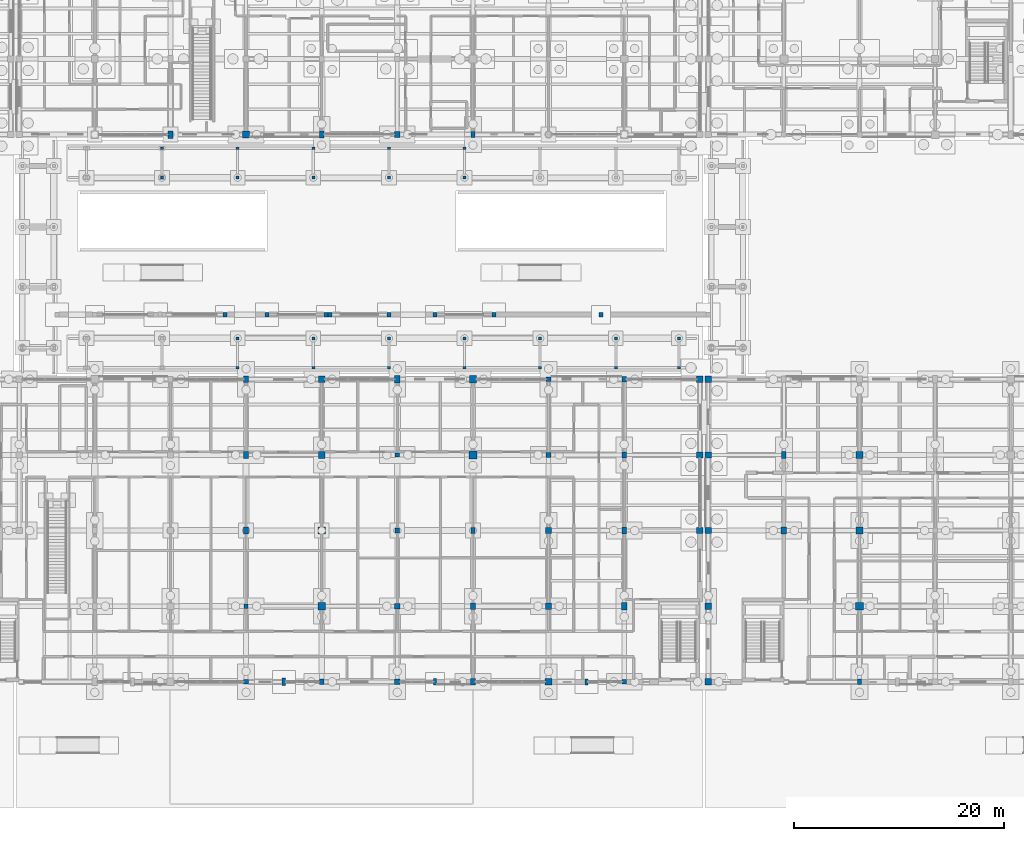
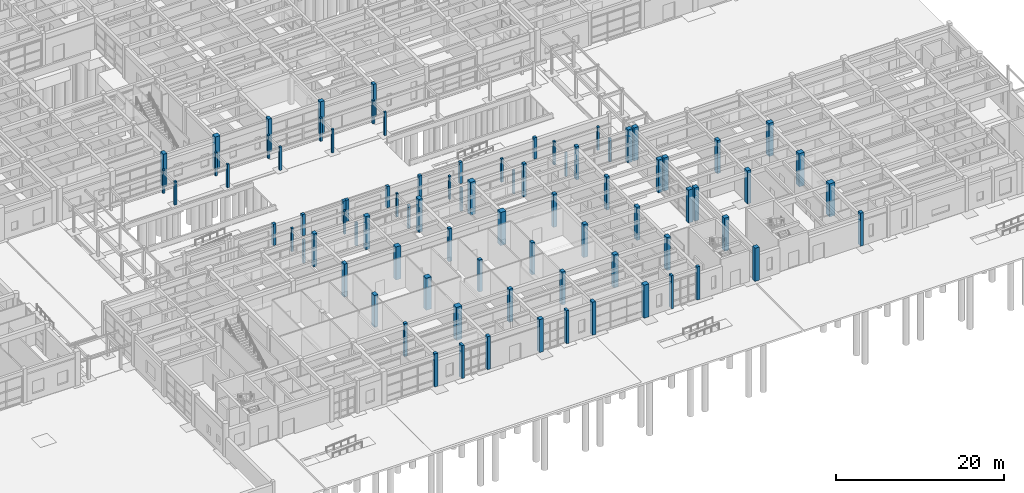
# One storey, part 19 of 143: 84 columns.
"""IFC4 building model written with IfcOpenShell, lengths in metres."""

import ifcopenshell
import ifcopenshell.guid

model = None  # the IFC model being written
_history = None  # IfcOwnerHistory: only IFC2X3 demands one
_inside = {}  # id of a spatial element -> (the spatial element, [elements in it])
_under = {}  # id of a project, library or spatial element -> (it, [spatial elements below it])
_declared = {}  # id of a project -> (the project, [libraries it declares])
_typed = {}  # id of a type object -> (the type object, [elements of that type])
_made_of = {}  # id of a material, layer set ... -> (it, [elements and type objects made of it])


def new_model(schema):
    """Start an empty IFC model of exactly this schema.

    Asked for "IFC4X3", IfcOpenShell would pick the latest addendum, in which some entities
    have other attributes; the version numbers below select the first issue.
    IFC2X3 requires an IfcOwnerHistory on every rooted entity: one is made here for all.
    """
    global model, _history
    if schema == "IFC4X3":
        model = ifcopenshell.file(schema_version=(4, 3, 0, 0))
    else:
        model = ifcopenshell.file(schema=schema)
    _inside.clear()
    _under.clear()
    _declared.clear()
    _typed.clear()
    _made_of.clear()
    _history = None
    if model.schema == "IFC2X3":
        org = make("IfcOrganization", Name="unknown")
        user = make(
            "IfcPersonAndOrganization",
            ThePerson=make("IfcPerson", FamilyName="unknown"),
            TheOrganization=org,
        )
        app = make(
            "IfcApplication",
            ApplicationDeveloper=org,
            Version="unknown",
            ApplicationFullName="unknown",
            ApplicationIdentifier="unknown",
        )
        _history = make(
            "IfcOwnerHistory",
            OwningUser=user,
            OwningApplication=app,
            ChangeAction="ADDED",
            CreationDate=0,
        )
    return model


def make(cls, **values):
    """One entity of the class cls with the attributes given. An attribute that is None is left unset."""
    return model.create_entity(
        cls, **{name: value for name, value in values.items() if value is not None}
    )


def rooted(cls, **values):
    """An entity with a GlobalId (a new one), such as an element, a storey or a relation."""
    return make(cls, GlobalId=ifcopenshell.guid.new(), OwnerHistory=_history, **values)


def si_unit(unit_type, name, prefix=None):
    """IfcSIUnit, for example si_unit("LENGTHUNIT", "METRE", prefix="MILLI")."""
    return make("IfcSIUnit", UnitType=unit_type, Prefix=prefix, Name=name)


def assignment(units):
    """IfcUnitAssignment: the units of a project."""
    return None if units is None else make("IfcUnitAssignment", Units=units)


def point(xyz):
    """IfcCartesianPoint."""
    return None if xyz is None else make("IfcCartesianPoint", Coordinates=xyz)


def direction(xyz):
    """IfcDirection."""
    return None if xyz is None else make("IfcDirection", DirectionRatios=xyz)


def frame(location, z_axis=None, x_axis=None):
    """IfcAxis2Placement3D, a coordinate frame: its origin and axes. An axis left out is left unset."""
    return make(
        "IfcAxis2Placement3D",
        Location=point(location),
        Axis=direction(z_axis),
        RefDirection=direction(x_axis),
    )


def frame_2d(location, x_axis=None):
    """IfcAxis2Placement2D, a coordinate frame in the plane: its origin and x axis."""
    return make(
        "IfcAxis2Placement2D", Location=point(location), RefDirection=direction(x_axis)
    )


def origin():
    """The frame at (0, 0, 0) with its axes left unset."""
    return frame((0.0, 0.0, 0.0))


def origin_2d():
    """The frame at (0, 0) in the plane with its x axis left unset."""
    return frame_2d((0.0, 0.0))


def place(relative_to, where):
    """IfcLocalPlacement: puts the frame where relative to a parent placement (None: the world)."""
    return make(
        "IfcLocalPlacement", PlacementRelTo=relative_to, RelativePlacement=where
    )


def context(
    kind, dimensions, precision=None, world=None, true_north=None, identifier=None
):
    """IfcGeometricRepresentationContext, for example the 3D "Model" context."""
    return make(
        "IfcGeometricRepresentationContext",
        ContextIdentifier=identifier,
        ContextType=kind,
        CoordinateSpaceDimension=dimensions,
        Precision=precision,
        WorldCoordinateSystem=world,
        TrueNorth=true_north,
    )


def subcontext(parent, identifier, kind, view, scale=None):
    """IfcGeometricRepresentationSubContext, for example "Body" below "Model"."""
    return make(
        "IfcGeometricRepresentationSubContext",
        ContextIdentifier=identifier,
        ContextType=kind,
        ParentContext=parent,
        TargetScale=scale,
        TargetView=view,
    )


def project(units=None, contexts=None):
    """IfcProject with its units and contexts."""
    return rooted(
        "IfcProject",
        Name="project",
        RepresentationContexts=contexts,
        UnitsInContext=assignment(units),
    )


def spatial(cls, under=None, at=None, **own):
    """A site, building, storey or space (cls), placed at a placement, below another one or the project."""
    s = rooted(cls, ObjectPlacement=at, **own)
    if under is not None:
        _under.setdefault(under.id(), (under, []))[1].append(s)
    return s


def profile(cls, at=None, kind="AREA", **sizes):
    """A parametric profile (cls). Its sizes go by their IFC names, for example OverallWidth=200.0."""
    return make(cls, ProfileType=kind, Position=at, **sizes)


def rectangle(**sizes):
    """IfcRectangleProfileDef."""
    return profile("IfcRectangleProfileDef", **sizes)


def extrude(swept, where, along, depth):
    """IfcExtrudedAreaSolid: the profile swept, set in the frame where, extruded along a direction by depth."""
    return make(
        "IfcExtrudedAreaSolid",
        SweptArea=swept,
        Position=where,
        ExtrudedDirection=direction(along),
        Depth=depth,
    )


def shape(context_of_items, identifier, shape_type, items):
    """IfcShapeRepresentation: the items that make up one representation, for example the "Body"."""
    return make(
        "IfcShapeRepresentation",
        ContextOfItems=context_of_items,
        RepresentationIdentifier=identifier,
        RepresentationType=shape_type,
        Items=items,
    )


def material(Name=None, Category=None):
    """IfcMaterial."""
    return make("IfcMaterial", Name=Name, Category=Category)


def material_profile(
    of_material, cross_section, Name=None, Category=None, Priority=None
):
    """IfcMaterialProfile: a cross section and its material."""
    return make(
        "IfcMaterialProfile",
        Name=Name,
        Material=of_material,
        Profile=cross_section,
        Priority=Priority,
        Category=Category,
    )


def profile_set(profiles, Name=None, composite=None):
    """IfcMaterialProfileSet."""
    return make(
        "IfcMaterialProfileSet",
        Name=Name,
        MaterialProfiles=profiles,
        CompositeProfile=composite,
    )


def made_of(thing, what):
    """Note that an element or type object is made of a material, layer set ...; save() writes the relation."""
    if what is not None:
        _made_of.setdefault(what.id(), (what, []))[1].append(thing)
    return thing


def type_object(cls, material=None, **own):
    """A type object (cls), such as IfcWallType, which elements share."""
    return made_of(rooted(cls, **own), material)


def element(
    cls,
    number,
    at=None,
    inside=None,
    cuts=None,
    type_object=None,
    material=None,
    context=None,
    identifier="Body",
    shape_type=None,
    held_by="IfcProductDefinitionShape",
    body=None,
    shapes=None,
    **own,
):
    """One element of the class cls, such as IfcWall. Its Tag is "e" and its number.

    at: its placement. inside: the storey or other place that contains it. cuts: it is an
    opening in that element (IfcRelVoidsElement). A single representation is given by context,
    identifier, shape_type and body (its items); several are given by shapes. held_by: the class
    of the entity that holds the representations. save() writes the other relations.
    """
    e = rooted(cls, Tag="e%d" % number, ObjectPlacement=at, **own)
    if body is not None:
        shapes = [shape(context, identifier, shape_type, body)]
    if shapes is not None:
        e.Representation = make(held_by, Representations=shapes)
    if inside is not None:
        _inside.setdefault(inside.id(), (inside, []))[1].append(e)
    if cuts is not None:
        rooted(
            "IfcRelVoidsElement", RelatingBuildingElement=cuts, RelatedOpeningElement=e
        )
    if type_object is not None:
        _typed.setdefault(type_object.id(), (type_object, []))[1].append(e)
    return made_of(e, material)


def aggregate(whole, parts):
    """IfcRelAggregates: a whole, such as a stair, and the parts it consists of."""
    return rooted("IfcRelAggregates", RelatingObject=whole, RelatedObjects=parts)


def save(model, path):
    """Write the relations noted so far, then the file.

    IfcRelAggregates (storeys below a building ...), IfcRelContainedInSpatialStructure (elements
    in a storey), IfcRelDefinesByType, IfcRelAssociatesMaterial and IfcRelDeclares: one each for
    every whole, place, type object, material and project.
    """
    for whole, parts in _under.values():
        aggregate(whole, parts)
    for where, things in _inside.values():
        rooted(
            "IfcRelContainedInSpatialStructure",
            RelatedElements=things,
            RelatingStructure=where,
        )
    for kind, things in _typed.values():
        rooted("IfcRelDefinesByType", RelatedObjects=things, RelatingType=kind)
    for what, things in _made_of.values():
        rooted("IfcRelAssociatesMaterial", RelatedObjects=things, RelatingMaterial=what)
    for by, libraries in _declared.values():
        rooted("IfcRelDeclares", RelatingContext=by, RelatedDefinitions=libraries)
    model.write(path)


model = new_model("IFC4")

# Units and contexts
model_context = context("Model", 3, precision=1e-05, world=origin(), true_north=direction((0.0, 1.0)))
body_context = subcontext(model_context, "Body", "Model", "MODEL_VIEW")
ifc_project = project(units=[si_unit("LENGTHUNIT", "METRE"), si_unit("AREAUNIT", "SQUARE_METRE"), si_unit("VOLUMEUNIT", "CUBIC_METRE"), si_unit("PLANEANGLEUNIT", "RADIAN"), si_unit("MASSUNIT", "GRAM", prefix="KILO")], contexts=[model_context])

# Site, building, storey
site_placement = place(None, origin())
site = spatial("IfcSite", under=ifc_project, at=site_placement, CompositionType="ELEMENT")
building_placement = place(site_placement, origin())
building = spatial("IfcBuilding", under=site, at=building_placement, Name="Steenspoor Specialist Clinic", CompositionType="ELEMENT")
storey_placement = place(building_placement, origin())
storey = spatial("IfcBuildingStorey", under=building, at=storey_placement, Name="L00", CompositionType="ELEMENT", Elevation=0.0)

# Columns
ifc_material_1 = material(Name="Glulam GL28h", Category="wood")
ifc_material_profile_1 = material_profile(ifc_material_1, rectangle(XDim=0.280029296875, YDim=0.280029296875, at=origin_2d()), Name="GL28H-280X280")
ifc_profile_set_1 = profile_set([ifc_material_profile_1], Name="Glulam GL28h")
column_type_1 = type_object("IfcColumnType", Name="COL-GL-280", PredefinedType="COLUMN", material=ifc_profile_set_1)
for number, where, z_axis, x_axis, name in (
    (1, (66.0, 61.050048828125, 0.0), (0.0, 0.0, 1.0), (1.0, 0.0, 0.0), "Walkway Colonnade Post COL-L00-0866"),
    (2, (66.0, 63.85009765625, 0.0), (0.0, 0.0, 1.0), (1.0, 0.0, 0.0), "Walkway Colonnade Post COL-L00-0867"),
    (3, (73.199951171875, 61.050048828125, 0.0), (0.0, 0.0, 1.0), (1.0, 0.0, 0.0), "Walkway Colonnade Post COL-L00-0868"),
    (4, (73.199951171875, 63.85009765625, 0.0), (0.0, 0.0, 1.0), (1.0, 0.0, 0.0), "Walkway Colonnade Post COL-L00-0869"),
    (5, (80.39990234375, 61.050048828125, 0.0), (0.0, 0.0, 1.0), (1.0, 0.0, 0.0), "Walkway Colonnade Post COL-L00-0870"),
    (6, (80.39990234375, 63.85009765625, 0.0), (0.0, 0.0, 1.0), (1.0, 0.0, 0.0), "Walkway Colonnade Post COL-L00-0871"),
    (7, (87.60009765625, 61.050048828125, 0.0), (0.0, 0.0, 1.0), (1.0, 0.0, 0.0), "Walkway Colonnade Post COL-L00-0872"),
    (8, (87.60009765625, 63.85009765625, 0.0), (0.0, 0.0, 1.0), (1.0, 0.0, 0.0), "Walkway Colonnade Post COL-L00-0873"),
    (9, (94.800048828125, 61.050048828125, 0.0), (0.0, 0.0, 1.0), (1.0, 0.0, 0.0), "Walkway Colonnade Post COL-L00-0874"),
    (10, (94.800048828125, 63.85009765625, 0.0), (0.0, 0.0, 1.0), (1.0, 0.0, 0.0), "Walkway Colonnade Post COL-L00-0875"),
    (11, (73.199951171875, 42.949951171875, 0.0), (0.0, 0.0, 1.0), (1.0, 0.0, 0.0), "Walkway Colonnade Post COL-L00-0886"),
    (12, (73.199951171875, 45.75, 0.0), (0.0, 0.0, 1.0), (1.0, 0.0, 0.0), "Walkway Colonnade Post COL-L00-0887"),
    (13, (80.39990234375, 42.949951171875, 0.0), (0.0, 0.0, 1.0), (1.0, 0.0, 0.0), "Walkway Colonnade Post COL-L00-0888"),
    (14, (80.39990234375, 45.75, 0.0), (0.0, 0.0, 1.0), (1.0, 0.0, 0.0), "Walkway Colonnade Post COL-L00-0889"),
    (15, (87.60009765625, 42.949951171875, 0.0), (0.0, 0.0, 1.0), (1.0, 0.0, 0.0), "Walkway Colonnade Post COL-L00-0890"),
    (16, (87.60009765625, 45.75, 0.0), (0.0, 0.0, 1.0), (1.0, 0.0, 0.0), "Walkway Colonnade Post COL-L00-0891"),
    (17, (94.800048828125, 42.949951171875, 0.0), (0.0, 0.0, 1.0), (1.0, 0.0, 0.0), "Walkway Colonnade Post COL-L00-0892"),
    (18, (94.800048828125, 45.75, 0.0), (0.0, 0.0, 1.0), (1.0, 0.0, 0.0), "Walkway Colonnade Post COL-L00-0893"),
    (19, (102.0, 42.949951171875, 0.0), (0.0, 0.0, 1.0), (1.0, 0.0, 0.0), "Walkway Colonnade Post COL-L00-0894"),
    (20, (102.0, 45.75, 0.0), (0.0, 0.0, 1.0), (1.0, 0.0, 0.0), "Walkway Colonnade Post COL-L00-0895"),
    (21, (109.199951171875, 42.949951171875, 0.0), (0.0, 0.0, 1.0), (1.0, 0.0, 0.0), "Walkway Colonnade Post COL-L00-0896"),
    (22, (109.199951171875, 45.75, 0.0), (0.0, 0.0, 1.0), (1.0, 0.0, 0.0), "Walkway Colonnade Post COL-L00-0897"),
    (23, (115.199951171875, 42.949951171875, 0.0), (0.0, 0.0, 1.0), (1.0, 0.0, 0.0), "Walkway Colonnade Post COL-L00-0898"),
    (24, (115.199951171875, 45.75, 0.0), (0.0, 0.0, 1.0), (1.0, 0.0, 0.0), "Walkway Colonnade Post COL-L00-0899"),
):
    element("IfcColumn", number, at=place(storey_placement, frame(where, z_axis=z_axis, x_axis=x_axis)), inside=storey, type_object=column_type_1, Name=name, PredefinedType="COLUMN", context=body_context, shape_type="SweptSolid", body=[
        extrude(rectangle(XDim=0.280029296875, YDim=0.280029296875, at=origin_2d()), origin(), (0.0, 0.0, 1.0), 3.39990234375),
    ])
ifc_material_2 = material(Name="Concrete C40/50", Category="concrete")
ifc_material_profile_2 = material_profile(ifc_material_2, rectangle(XDim=0.39990234375, YDim=0.39990234375, at=origin_2d()), Name="RC-COL-400X400")
ifc_profile_set_2 = profile_set([ifc_material_profile_2], Name="Concrete C40/50")
column_type_2 = type_object("IfcColumnType", Name="COL-RC-400", PredefinedType="COLUMN", material=ifc_profile_set_2)
for number, where, z_axis, x_axis, name in (
    (25, (74.0, 20.25, 0.0), (0.0, 0.0, 1.0), (1.0, 0.0, 0.0), "Column COL-L00-0038"),
    (26, (88.39990234375, 34.64990234375, 0.0), (0.0, 0.0, 1.0), (1.0, 0.0, 0.0), "Column COL-L00-0059"),
    (27, (110.0, 13.050048828125, 0.0), (0.0, 0.0, 1.0), (1.0, 0.0, 0.0), "Column COL-L00-0082"),
):
    element("IfcColumn", number, at=place(storey_placement, frame(where, z_axis=z_axis, x_axis=x_axis)), inside=storey, type_object=column_type_2, Name=name, PredefinedType="COLUMN", context=body_context, shape_type="SweptSolid", body=[
        extrude(rectangle(XDim=0.39990234375, YDim=0.39990234375, at=origin_2d()), origin(), (0.0, 0.0, 1.0), 4.800048828125),
    ])
for number, where, z_axis, x_axis, name in (
    (28, (72.0, 48.0, 0.0), (0.0, 0.0, 1.0), (1.0, 0.0, 0.0), "Campus Screen Wall Pier 13"),
    (29, (76.0, 48.0, 0.0), (0.0, 0.0, 1.0), (1.0, 0.0, 0.0), "Campus Screen Wall Pier 14"),
    (30, (81.60009765625, 48.0, 0.0), (0.0, 0.0, 1.0), (1.0, 0.0, 0.0), "Campus Screen Wall Pier 15"),
    (31, (82.0, 48.0, 0.0), (0.0, 0.0, 1.0), (1.0, 0.0, 0.0), "Campus Screen Wall Pier 16"),
    (32, (87.60009765625, 48.0, 0.0), (0.0, 0.0, 1.0), (1.0, 0.0, 0.0), "Campus Screen Wall Pier 17"),
    (33, (92.0, 48.0, 0.0), (0.0, 0.0, 1.0), (1.0, 0.0, 0.0), "Campus Screen Wall Pier 18"),
    (34, (97.60009765625, 48.0, 0.0), (0.0, 0.0, 1.0), (1.0, 0.0, 0.0), "Campus Screen Wall Pier 19"),
    (35, (107.800048828125, 48.0, 0.0), (0.0, 0.0, 1.0), (1.0, 0.0, 0.0), "Campus Screen Wall Pier 20"),
):
    element("IfcColumn", number, at=place(storey_placement, frame(where, z_axis=z_axis, x_axis=x_axis)), inside=storey, type_object=column_type_2, Name=name, PredefinedType="COLUMN", context=body_context, shape_type="SweptSolid", body=[
        extrude(rectangle(XDim=0.39990234375, YDim=0.39990234375, at=origin_2d()), origin(), (0.0, 0.0, 1.0), 3.10009765625),
    ])
ifc_material_profile_3 = material_profile(ifc_material_2, rectangle(XDim=0.39990234375, YDim=0.550048828125, at=origin_2d()), Name="RC-COL-400X550")
ifc_profile_set_3 = profile_set([ifc_material_profile_3], Name="Concrete C40/50")
column_type_3 = type_object("IfcColumnType", Name="COL-RC-400X550", PredefinedType="COLUMN", material=ifc_profile_set_3)
column_1_placement = place(storey_placement, frame((81.199951171875, 13.050048828125, 0.0), z_axis=(0.0, 0.0, 1.0), x_axis=(1.0, 0.0, 0.0)))
element("IfcColumn", 36, at=column_1_placement, inside=storey, type_object=column_type_3, Name="Column COL-L00-0045", PredefinedType="COLUMN", context=body_context, shape_type="SweptSolid", body=[
    extrude(rectangle(XDim=0.39990234375, YDim=0.550048828125, at=origin_2d()), origin(), (0.0, 0.0, 1.0), 4.800048828125),
])
column_2_placement = place(storey_placement, frame((95.60009765625, 27.449951171875, 0.0), z_axis=(0.0, 0.0, 1.0), x_axis=(1.0, 0.0, 0.0)))
element("IfcColumn", 37, at=column_2_placement, inside=storey, type_object=column_type_3, Name="Column COL-L00-0067", PredefinedType="COLUMN", context=body_context, shape_type="SweptSolid", body=[
    extrude(rectangle(XDim=0.39990234375, YDim=0.550048828125, at=origin_2d()), origin(), (0.0, 0.0, 1.0), 4.64990234375),
])
for number, where, z_axis, x_axis, name in (
    (38, (110.0, 41.85009765625, 0.0), (0.0, 0.0, 1.0), (1.0, 0.0, 0.0), "Column COL-L00-0090"),
    (39, (132.39990234375, 13.050048828125, 0.0), (0.0, 0.0, 1.0), (1.0, 0.0, 0.0), "Column COL-L00-0114"),
    (40, (95.60009765625, 65.14990234375, 0.0), (0.0, 0.0, 1.0), (1.0, 0.0, 0.0), "Column COL-L00-0380"),
):
    element("IfcColumn", number, at=place(storey_placement, frame(where, z_axis=z_axis, x_axis=x_axis)), inside=storey, type_object=column_type_3, Name=name, PredefinedType="COLUMN", context=body_context, shape_type="SweptSolid", body=[
        extrude(rectangle(XDim=0.39990234375, YDim=0.550048828125, at=origin_2d()), origin(), (0.0, 0.0, 1.0), 4.800048828125),
    ])
ifc_material_profile_4 = material_profile(ifc_material_2, rectangle(XDim=0.449951171875, YDim=0.449951171875, at=origin_2d()), Name="RC-COL-450X450")
ifc_profile_set_4 = profile_set([ifc_material_profile_4], Name="Concrete C40/50")
column_type_4 = type_object("IfcColumnType", Name="COL-RC-450", PredefinedType="COLUMN", material=ifc_profile_set_4)
column_3_placement = place(storey_placement, frame((74.0, 13.050048828125, 0.0), z_axis=(0.0, 0.0, 1.0), x_axis=(1.0, 0.0, 0.0)))
element("IfcColumn", 41, at=column_3_placement, inside=storey, type_object=column_type_4, Name="Column COL-L00-0036", PredefinedType="COLUMN", context=body_context, shape_type="SweptSolid", body=[
    extrude(rectangle(XDim=0.449951171875, YDim=0.449951171875, at=origin_2d()), origin(), (0.0, 0.0, 1.0), 4.800048828125),
])
column_4_placement = place(storey_placement, frame((88.39990234375, 27.449951171875, 0.0), z_axis=(0.0, 0.0, 1.0), x_axis=(1.0, 0.0, 0.0)))
element("IfcColumn", 42, at=column_4_placement, inside=storey, type_object=column_type_4, Name="Column COL-L00-0058", PredefinedType="COLUMN", context=body_context, shape_type="SweptSolid", body=[
    extrude(rectangle(XDim=0.449951171875, YDim=0.449951171875, at=origin_2d()), origin(), (0.0, 0.0, 1.0), 4.64990234375),
])
column_5_placement = place(storey_placement, frame((102.800048828125, 41.85009765625, 0.0), z_axis=(0.0, 0.0, 1.0), x_axis=(1.0, 0.0, 0.0)))
element("IfcColumn", 43, at=column_5_placement, inside=storey, type_object=column_type_4, Name="Column COL-L00-0080", PredefinedType="COLUMN", context=body_context, shape_type="SweptSolid", body=[
    extrude(rectangle(XDim=0.449951171875, YDim=0.449951171875, at=origin_2d()), origin(), (0.0, 0.0, 1.0), 4.800048828125),
])
ifc_material_profile_5 = material_profile(ifc_material_2, rectangle(XDim=0.449951171875, YDim=0.60009765625, at=origin_2d()), Name="RC-COL-450X600")
ifc_profile_set_5 = profile_set([ifc_material_profile_5], Name="Concrete C40/50")
column_type_5 = type_object("IfcColumnType", Name="COL-RC-450X600", PredefinedType="COLUMN", material=ifc_profile_set_5)
for number, where, z_axis, x_axis, name in (
    (44, (74.0, 41.85009765625, 0.0), (0.0, 0.0, 1.0), (1.0, 0.0, 0.0), "Column COL-L00-0043"),
    (45, (95.60009765625, 20.25, 0.0), (0.0, 0.0, 1.0), (1.0, 0.0, 0.0), "Column COL-L00-0065"),
    (46, (110.0, 34.64990234375, 0.0), (0.0, 0.0, 1.0), (1.0, 0.0, 0.0), "Column COL-L00-0088"),
):
    element("IfcColumn", number, at=place(storey_placement, frame(where, z_axis=z_axis, x_axis=x_axis)), inside=storey, type_object=column_type_5, Name=name, PredefinedType="COLUMN", context=body_context, shape_type="SweptSolid", body=[
        extrude(rectangle(XDim=0.449951171875, YDim=0.60009765625, at=origin_2d()), origin(), (0.0, 0.0, 1.0), 4.800048828125),
    ])
ifc_material_profile_6 = material_profile(ifc_material_2, rectangle(XDim=0.449951171875, YDim=0.64990234375, at=origin_2d()), Name="RC-COL-450X650")
ifc_profile_set_6 = profile_set([ifc_material_profile_6], Name="Concrete C40/50")
column_type_6 = type_object("IfcColumnType", Name="COL-RC-450X650", PredefinedType="COLUMN", material=ifc_profile_set_6)
for number, where, z_axis, x_axis, name in (
    (47, (74.0, 34.64990234375, 0.0), (0.0, 0.0, 1.0), (1.0, 0.0, 0.0), "Column COL-L00-0041"),
    (48, (95.60009765625, 13.050048828125, 0.0), (0.0, 0.0, 1.0), (1.0, 0.0, 0.0), "Column COL-L00-0063"),
    (49, (110.0, 27.449951171875, 0.0), (0.0, 0.0, 1.0), (1.0, 0.0, 0.0), "Column COL-L00-0086"),
    (50, (125.199951171875, 34.64990234375, 0.0), (0.0, 0.0, 1.0), (1.0, 0.0, 0.0), "Column COL-L00-0110"),
    (51, (81.199951171875, 65.14990234375, 0.0), (0.0, 0.0, 1.0), (1.0, 0.0, 0.0), "Column COL-L00-0306"),
):
    element("IfcColumn", number, at=place(storey_placement, frame(where, z_axis=z_axis, x_axis=x_axis)), inside=storey, type_object=column_type_6, Name=name, PredefinedType="COLUMN", context=body_context, shape_type="SweptSolid", body=[
        extrude(rectangle(XDim=0.449951171875, YDim=0.64990234375, at=origin_2d()), origin(), (0.0, 0.0, 1.0), 4.800048828125),
    ])
ifc_material_profile_7 = material_profile(ifc_material_2, rectangle(XDim=0.5, YDim=0.5, at=origin_2d()), Name="RC-COL-500X500")
ifc_profile_set_7 = profile_set([ifc_material_profile_7], Name="Concrete C40/50")
column_type_7 = type_object("IfcColumnType", Name="COL-RC-500", PredefinedType="COLUMN", material=ifc_profile_set_7)
for number, where, z_axis, x_axis, name in (
    (52, (88.39990234375, 20.25, 0.0), (0.0, 0.0, 1.0), (1.0, 0.0, 0.0), "Column COL-L00-0056"),
    (53, (102.800048828125, 34.64990234375, 0.0), (0.0, 0.0, 1.0), (1.0, 0.0, 0.0), "Column COL-L00-0078"),
):
    element("IfcColumn", number, at=place(storey_placement, frame(where, z_axis=z_axis, x_axis=x_axis)), inside=storey, type_object=column_type_7, Name=name, PredefinedType="COLUMN", context=body_context, shape_type="SweptSolid", body=[
        extrude(rectangle(XDim=0.5, YDim=0.5, at=origin_2d()), origin(), (0.0, 0.0, 1.0), 4.800048828125),
    ])
ifc_material_profile_8 = material_profile(ifc_material_2, rectangle(XDim=0.5, YDim=0.699951171875, at=origin_2d()), Name="RC-COL-500X700")
ifc_profile_set_8 = profile_set([ifc_material_profile_8], Name="Concrete C40/50")
column_type_8 = type_object("IfcColumnType", Name="COL-RC-500X700", PredefinedType="COLUMN", material=ifc_profile_set_8)
column_6_placement = place(storey_placement, frame((74.0, 27.449951171875, 0.0), z_axis=(0.0, 0.0, 1.0), x_axis=(1.0, 0.0, 0.0)))
element("IfcColumn", 54, at=column_6_placement, inside=storey, type_object=column_type_8, Name="Column COL-L00-0040", PredefinedType="COLUMN", context=body_context, shape_type="SweptSolid", body=[
    extrude(rectangle(XDim=0.5, YDim=0.699951171875, at=origin_2d()), origin(), (0.0, 0.0, 1.0), 4.64990234375),
])
for number, where, z_axis, x_axis, name in (
    (55, (88.39990234375, 41.85009765625, 0.0), (0.0, 0.0, 1.0), (1.0, 0.0, 0.0), "Column COL-L00-0061"),
    (56, (110.0, 20.25, 0.0), (0.0, 0.0, 1.0), (1.0, 0.0, 0.0), "Column COL-L00-0084"),
    (57, (125.199951171875, 27.449951171875, 0.0), (0.0, 0.0, 1.0), (1.0, 0.0, 0.0), "Column COL-L00-0108"),
    (58, (66.800048828125, 65.14990234375, 0.0), (0.0, 0.0, 1.0), (1.0, 0.0, 0.0), "Column COL-L00-0240"),
):
    element("IfcColumn", number, at=place(storey_placement, frame(where, z_axis=z_axis, x_axis=x_axis)), inside=storey, type_object=column_type_8, Name=name, PredefinedType="COLUMN", context=body_context, shape_type="SweptSolid", body=[
        extrude(rectangle(XDim=0.5, YDim=0.699951171875, at=origin_2d()), origin(), (0.0, 0.0, 1.0), 4.800048828125),
    ])
ifc_material_profile_9 = material_profile(ifc_material_2, rectangle(XDim=0.550048828125, YDim=0.550048828125, at=origin_2d()), Name="RC-COL-550X550")
ifc_profile_set_9 = profile_set([ifc_material_profile_9], Name="Concrete C40/50")
column_type_9 = type_object("IfcColumnType", Name="COL-RC-550", PredefinedType="COLUMN", material=ifc_profile_set_9)
for number, where, z_axis, x_axis, name in (
    (59, (88.39990234375, 13.050048828125, 0.0), (0.0, 0.0, 1.0), (1.0, 0.0, 0.0), "Column COL-L00-0054"),
    (60, (102.800048828125, 27.449951171875, 0.0), (0.0, 0.0, 1.0), (1.0, 0.0, 0.0), "Column COL-L00-0076"),
    (61, (88.39990234375, 65.14990234375, 0.0), (0.0, 0.0, 1.0), (1.0, 0.0, 0.0), "Column COL-L00-0343"),
):
    element("IfcColumn", number, at=place(storey_placement, frame(where, z_axis=z_axis, x_axis=x_axis)), inside=storey, type_object=column_type_9, Name=name, PredefinedType="COLUMN", context=body_context, shape_type="SweptSolid", body=[
        extrude(rectangle(XDim=0.550048828125, YDim=0.550048828125, at=origin_2d()), origin(), (0.0, 0.0, 1.0), 4.800048828125),
    ])
ifc_material_profile_10 = material_profile(ifc_material_2, rectangle(XDim=0.60009765625, YDim=0.60009765625, at=origin_2d()), Name="RC-COL-600X600")
ifc_profile_set_10 = profile_set([ifc_material_profile_10], Name="Concrete C40/50")
column_type_10 = type_object("IfcColumnType", Name="COL-RC-600", PredefinedType="COLUMN", material=ifc_profile_set_10)
for number, where, z_axis, x_axis, name in (
    (62, (81.199951171875, 41.85009765625, 0.0), (0.0, 0.0, 1.0), (1.0, 0.0, 0.0), "Column COL-L00-0052"),
    (63, (102.800048828125, 20.25, 0.0), (0.0, 0.0, 1.0), (1.0, 0.0, 0.0), "Column COL-L00-0074"),
    (64, (117.199951171875, 27.449951171875, 0.0), (0.0, 0.0, 1.0), (1.0, 0.0, 0.0), "Column COL-L00-0092"),
    (65, (117.199951171875, 34.64990234375, 0.0), (0.0, 0.0, 1.0), (1.0, 0.0, 0.0), "Column COL-L00-0094"),
    (66, (117.199951171875, 41.85009765625, 0.0), (0.0, 0.0, 1.0), (1.0, 0.0, 0.0), "Column COL-L00-0096"),
    (67, (118.0, 13.050048828125, 0.0), (0.0, 0.0, 1.0), (1.0, 0.0, 0.0), "Column COL-L00-0098"),
    (68, (118.0, 20.25, 0.0), (0.0, 0.0, 1.0), (1.0, 0.0, 0.0), "Column COL-L00-0100"),
    (69, (118.0, 27.449951171875, 0.0), (0.0, 0.0, 1.0), (1.0, 0.0, 0.0), "Column COL-L00-0102"),
    (70, (118.0, 34.64990234375, 0.0), (0.0, 0.0, 1.0), (1.0, 0.0, 0.0), "Column COL-L00-0104"),
    (71, (118.0, 41.85009765625, 0.0), (0.0, 0.0, 1.0), (1.0, 0.0, 0.0), "Column COL-L00-0106"),
):
    element("IfcColumn", number, at=place(storey_placement, frame(where, z_axis=z_axis, x_axis=x_axis)), inside=storey, type_object=column_type_10, Name=name, PredefinedType="COLUMN", context=body_context, shape_type="SweptSolid", body=[
        extrude(rectangle(XDim=0.60009765625, YDim=0.60009765625, at=origin_2d()), origin(), (0.0, 0.0, 1.0), 4.800048828125),
    ])
ifc_material_profile_11 = material_profile(ifc_material_2, rectangle(XDim=0.64990234375, YDim=0.64990234375, at=origin_2d()), Name="RC-COL-650X650")
ifc_profile_set_11 = profile_set([ifc_material_profile_11], Name="Concrete C40/50")
column_type_11 = type_object("IfcColumnType", Name="COL-RC-650", PredefinedType="COLUMN", material=ifc_profile_set_11)
for number, where, z_axis, x_axis, name in (
    (72, (81.199951171875, 34.64990234375, 0.0), (0.0, 0.0, 1.0), (1.0, 0.0, 0.0), "Column COL-L00-0050"),
    (73, (102.800048828125, 13.050048828125, 0.0), (0.0, 0.0, 1.0), (1.0, 0.0, 0.0), "Column COL-L00-0072"),
    (74, (132.39990234375, 34.64990234375, 0.0), (0.0, 0.0, 1.0), (1.0, 0.0, 0.0), "Column COL-L00-0120"),
    (75, (74.0, 65.14990234375, 0.0), (0.0, 0.0, 1.0), (1.0, 0.0, 0.0), "Column COL-L00-0269"),
):
    element("IfcColumn", number, at=place(storey_placement, frame(where, z_axis=z_axis, x_axis=x_axis)), inside=storey, type_object=column_type_11, Name=name, PredefinedType="COLUMN", context=body_context, shape_type="SweptSolid", body=[
        extrude(rectangle(XDim=0.64990234375, YDim=0.64990234375, at=origin_2d()), origin(), (0.0, 0.0, 1.0), 4.800048828125),
    ])
ifc_material_profile_12 = material_profile(ifc_material_2, rectangle(XDim=0.699951171875, YDim=0.699951171875, at=origin_2d()), Name="RC-COL-700X700")
ifc_profile_set_12 = profile_set([ifc_material_profile_12], Name="Concrete C40/50")
column_type_12 = type_object("IfcColumnType", Name="COL-RC-700", PredefinedType="COLUMN", material=ifc_profile_set_12)
column_7_placement = place(storey_placement, frame((81.199951171875, 27.449951171875, 0.0), z_axis=(0.0, 0.0, 1.0), x_axis=(1.0, 0.0, 0.0)))
element("IfcColumn", 76, at=column_7_placement, inside=storey, type_object=column_type_12, Name="Column COL-L00-0049", PredefinedType="COLUMN", context=body_context, shape_type="SweptSolid", body=[
    extrude(rectangle(XDim=0.699951171875, YDim=0.699951171875, at=origin_2d()), origin(), (0.0, 0.0, 1.0), 4.64990234375),
])
for number, where, z_axis, x_axis, name in (
    (77, (95.60009765625, 41.85009765625, 0.0), (0.0, 0.0, 1.0), (1.0, 0.0, 0.0), "Column COL-L00-0070"),
    (78, (132.39990234375, 27.449951171875, 0.0), (0.0, 0.0, 1.0), (1.0, 0.0, 0.0), "Column COL-L00-0118"),
):
    element("IfcColumn", number, at=place(storey_placement, frame(where, z_axis=z_axis, x_axis=x_axis)), inside=storey, type_object=column_type_12, Name=name, PredefinedType="COLUMN", context=body_context, shape_type="SweptSolid", body=[
        extrude(rectangle(XDim=0.699951171875, YDim=0.699951171875, at=origin_2d()), origin(), (0.0, 0.0, 1.0), 4.800048828125),
    ])
ifc_material_profile_13 = material_profile(ifc_material_2, rectangle(XDim=0.75, YDim=0.75, at=origin_2d()), Name="RC-COL-750X750")
ifc_profile_set_13 = profile_set([ifc_material_profile_13], Name="Concrete C40/50")
column_type_13 = type_object("IfcColumnType", Name="COL-RC-750", PredefinedType="COLUMN", material=ifc_profile_set_13)
for number, where, z_axis, x_axis, name in (
    (79, (81.199951171875, 20.25, 0.0), (0.0, 0.0, 1.0), (1.0, 0.0, 0.0), "Column COL-L00-0047"),
    (80, (95.60009765625, 34.64990234375, 0.0), (0.0, 0.0, 1.0), (1.0, 0.0, 0.0), "Column COL-L00-0068"),
    (81, (132.39990234375, 20.25, 0.0), (0.0, 0.0, 1.0), (1.0, 0.0, 0.0), "Column COL-L00-0116"),
):
    element("IfcColumn", number, at=place(storey_placement, frame(where, z_axis=z_axis, x_axis=x_axis)), inside=storey, type_object=column_type_13, Name=name, PredefinedType="COLUMN", context=body_context, shape_type="SweptSolid", body=[
        extrude(rectangle(XDim=0.75, YDim=0.75, at=origin_2d()), origin(), (0.0, 0.0, 1.0), 4.800048828125),
    ])
ifc_material_profile_14 = material_profile(ifc_material_2, rectangle(XDim=0.280029296875, YDim=0.56005859375, at=origin_2d()), Name="RC-PIL-280X560")
ifc_profile_set_14 = profile_set([ifc_material_profile_14], Name="Concrete C40/50")
column_type_14 = type_object("IfcColumnType", Name="PIL-RC-280X560", PredefinedType="PILASTER", material=ifc_profile_set_14)
column_8_placement = place(storey_placement, frame((106.39990234375, 13.050048828125, 0.0), z_axis=(0.0, 0.0, 1.0), x_axis=(1.0, 0.0, 0.0)))
element("IfcColumn", 82, at=column_8_placement, inside=storey, type_object=column_type_14, Name="Brick Pilaster PIL-L00-007", PredefinedType="PILASTER", context=body_context, shape_type="SweptSolid", body=[
    extrude(rectangle(XDim=0.280029296875, YDim=0.56005859375, at=origin_2d()), origin(), (0.0, 0.0, 1.0), 4.800048828125),
])
ifc_material_profile_15 = material_profile(ifc_material_2, rectangle(XDim=0.300048828125, YDim=0.6201171875, at=origin_2d()), Name="RC-PIL-300X620")
ifc_profile_set_15 = profile_set([ifc_material_profile_15], Name="Concrete C40/50")
column_type_15 = type_object("IfcColumnType", Name="PIL-RC-300X620", PredefinedType="PILASTER", material=ifc_profile_set_15)
column_9_placement = place(storey_placement, frame((92.0, 13.050048828125, 0.0), z_axis=(0.0, 0.0, 1.0), x_axis=(1.0, 0.0, 0.0)))
element("IfcColumn", 83, at=column_9_placement, inside=storey, type_object=column_type_15, Name="Brick Pilaster PIL-L00-005", PredefinedType="PILASTER", context=body_context, shape_type="SweptSolid", body=[
    extrude(rectangle(XDim=0.300048828125, YDim=0.6201171875, at=origin_2d()), origin(), (0.0, 0.0, 1.0), 4.800048828125),
])
ifc_material_profile_16 = material_profile(ifc_material_2, rectangle(XDim=0.340087890625, YDim=0.679931640625, at=origin_2d()), Name="RC-PIL-340X680")
ifc_profile_set_16 = profile_set([ifc_material_profile_16], Name="Concrete C40/50")
column_type_16 = type_object("IfcColumnType", Name="PIL-RC-340X680", PredefinedType="PILASTER", material=ifc_profile_set_16)
column_10_placement = place(storey_placement, frame((77.60009765625, 13.050048828125, 0.0), z_axis=(0.0, 0.0, 1.0), x_axis=(1.0, 0.0, 0.0)))
element("IfcColumn", 84, at=column_10_placement, inside=storey, type_object=column_type_16, Name="Brick Pilaster PIL-L00-003", PredefinedType="PILASTER", context=body_context, shape_type="SweptSolid", body=[
    extrude(rectangle(XDim=0.340087890625, YDim=0.679931640625, at=origin_2d()), origin(), (0.0, 0.0, 1.0), 4.800048828125),
])

save(model, "model.ifc")
